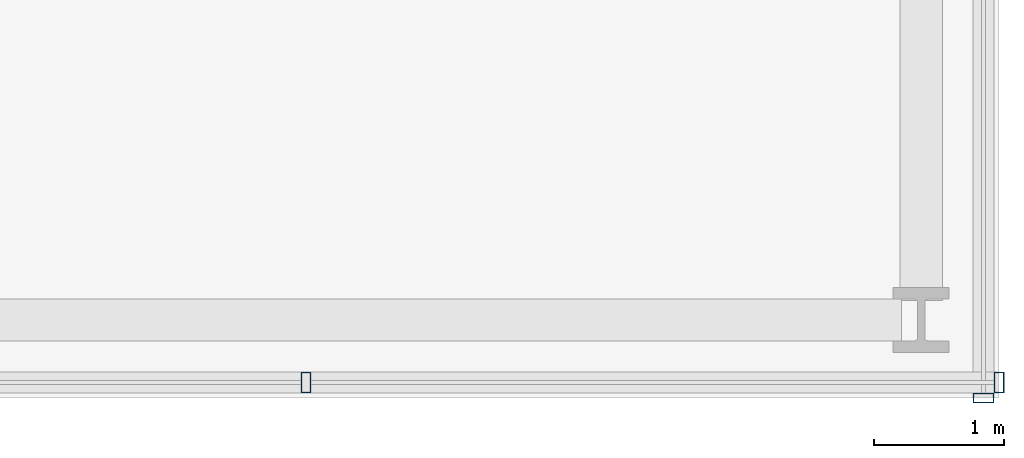
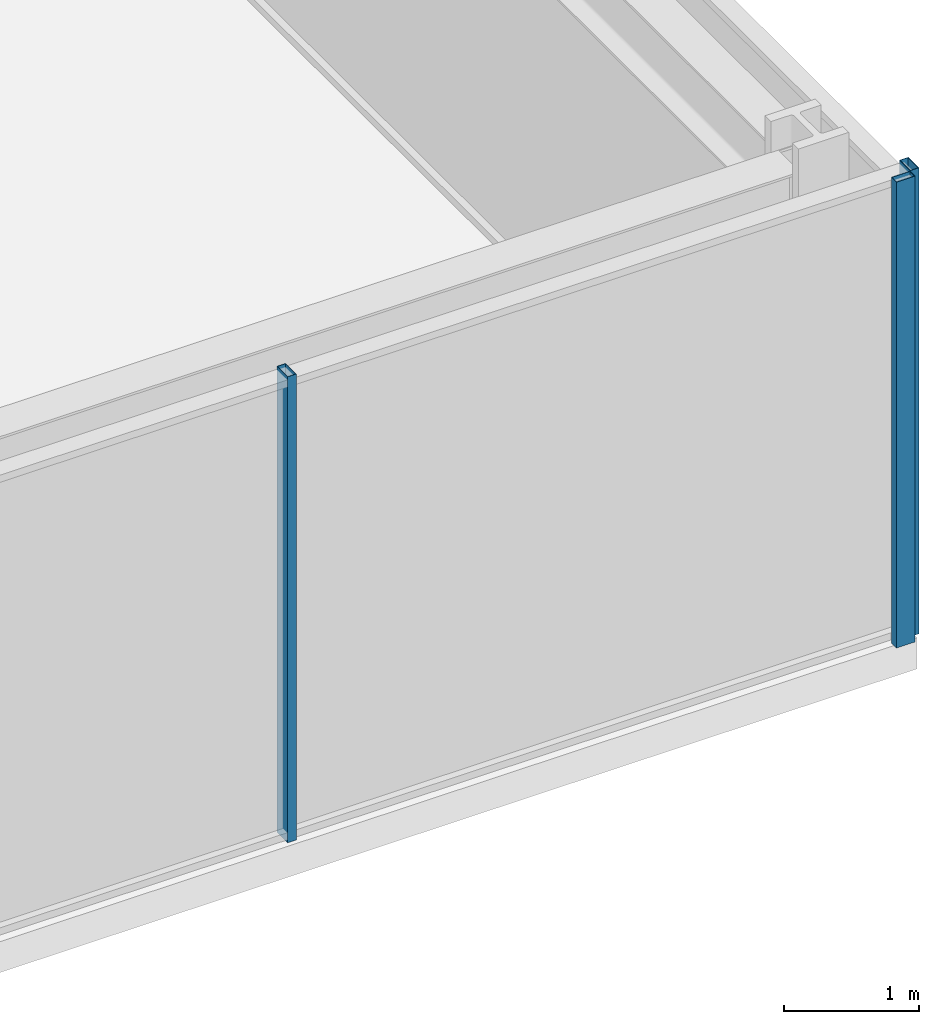
# One storey, part 20 of 47: 3 members, 2 elements without a shape of their own.
"""IFC4 building model written with IfcOpenShell, lengths in metres."""

from ifc_helpers import new_model, si_unit, direction, frame, origin, origin_2d, place, context, subcontext, project, spatial, hollow_rectangle, extrude, material, material_profile, profile_set, type_object, element, aggregate, save


model = new_model("IFC4")

# Units and contexts
model_context = context("Model", 3, precision=1e-05, world=origin(), true_north=direction((0.0, 1.0)))
body_context = subcontext(model_context, "Body", "Model", "MODEL_VIEW")
ifc_project = project(units=[si_unit("LENGTHUNIT", "METRE"), si_unit("AREAUNIT", "SQUARE_METRE"), si_unit("VOLUMEUNIT", "CUBIC_METRE"), si_unit("PLANEANGLEUNIT", "RADIAN"), si_unit("MASSUNIT", "GRAM", prefix="KILO")], contexts=[model_context])

# Site, building, storey
site_placement = place(None, origin())
site = spatial("IfcSite", under=ifc_project, at=site_placement, CompositionType="ELEMENT")
building_placement = place(site_placement, origin())
building = spatial("IfcBuilding", under=site, at=building_placement, Name="Kolvaren Belvedere", CompositionType="ELEMENT")
storey_placement = place(building_placement, frame((0.0, 0.0, 5.5)))
storey = spatial("IfcBuildingStorey", under=building, at=storey_placement, Name="L02", CompositionType="ELEMENT", Elevation=5.5)

# Curtain wall, members
ifc_material_1 = material(Name="Anodised pale-metal aluminium AA 6063-T6", Category="aluminium")
curtain_wall_type = type_object("IfcCurtainWallType", Name="CW-POD-A", PredefinedType="NOTDEFINED", material=ifc_material_1)
curtain_wall_1_placement = place(storey_placement, origin())
curtain_wall_1 = element("IfcCurtainWall", 1, at=curtain_wall_1_placement, inside=storey, type_object=curtain_wall_type, Name="L02 Unitised Curtain Wall FCW-L02-SEG5", PredefinedType="NOTDEFINED")
ifc_material_2 = material(Name="Anodised pale-metal aluminium AA 6063-T6", Category="aluminium")
ifc_material_profile = material_profile(ifc_material_2, hollow_rectangle(XDim=0.074951171875, YDim=0.159912109375, WallThickness=0.00439453125, at=origin_2d()), Name="ALU-MUL-160X75")
ifc_profile_set = profile_set([ifc_material_profile], Name="Anodised pale-metal aluminium AA 6063-T6")
member_type = type_object("IfcMemberType", Name="CW-MUL-160", PredefinedType="MULLION", material=ifc_profile_set)
member_1_placement = place(storey_placement, frame((28.0, -28.280029296875, 0.0), z_axis=(0.0, 0.0, 1.0), x_axis=(1.0, 0.0, 0.0)))
member_1 = element("IfcMember", 2, at=member_1_placement, type_object=member_type, Name="FCW-L02-SEG5 Unitised Mullion 1", PredefinedType="MULLION", context=body_context, shape_type="SweptSolid", body=[
    extrude(hollow_rectangle(XDim=0.074951171875, YDim=0.159912109375, WallThickness=0.00439453125, at=origin_2d()), origin(), (0.0, 0.0, 1.0), 4.219970703125),
])
member_2_placement = place(storey_placement, frame((22.666748046875, -28.280029296875, 0.0), z_axis=(0.0, 0.0, 1.0), x_axis=(1.0, 0.0, 0.0)))
member_2 = element("IfcMember", 3, at=member_2_placement, type_object=member_type, Name="FCW-L02-SEG5 Unitised Mullion 2", PredefinedType="MULLION", context=body_context, shape_type="SweptSolid", body=[
    extrude(hollow_rectangle(XDim=0.074951171875, YDim=0.159912109375, WallThickness=0.00439453125, at=origin_2d()), origin(), (0.0, 0.0, 1.0), 4.219970703125),
])
aggregate(curtain_wall_1, [member_1, member_2])

# Curtain wall, member
curtain_wall_2_placement = place(storey_placement, origin())
curtain_wall_2 = element("IfcCurtainWall", 4, at=curtain_wall_2_placement, inside=storey, type_object=curtain_wall_type, Name="L02 Unitised Curtain Wall FCW-L02-SEG6", PredefinedType="NOTDEFINED")
member_3_placement = place(storey_placement, frame((27.8798828125, -28.39990234375, 0.0), z_axis=(0.0, 0.0, 1.0), x_axis=(0.0, 1.0, 0.0)))
member_3 = element("IfcMember", 5, at=member_3_placement, type_object=member_type, Name="FCW-L02-SEG6 Unitised Mullion 5", PredefinedType="MULLION", context=body_context, shape_type="SweptSolid", body=[
    extrude(hollow_rectangle(XDim=0.074951171875, YDim=0.159912109375, WallThickness=0.00439453125, at=origin_2d()), origin(), (0.0, 0.0, 1.0), 4.219970703125),
])
aggregate(curtain_wall_2, [member_3])

save(model, "model.ifc")
